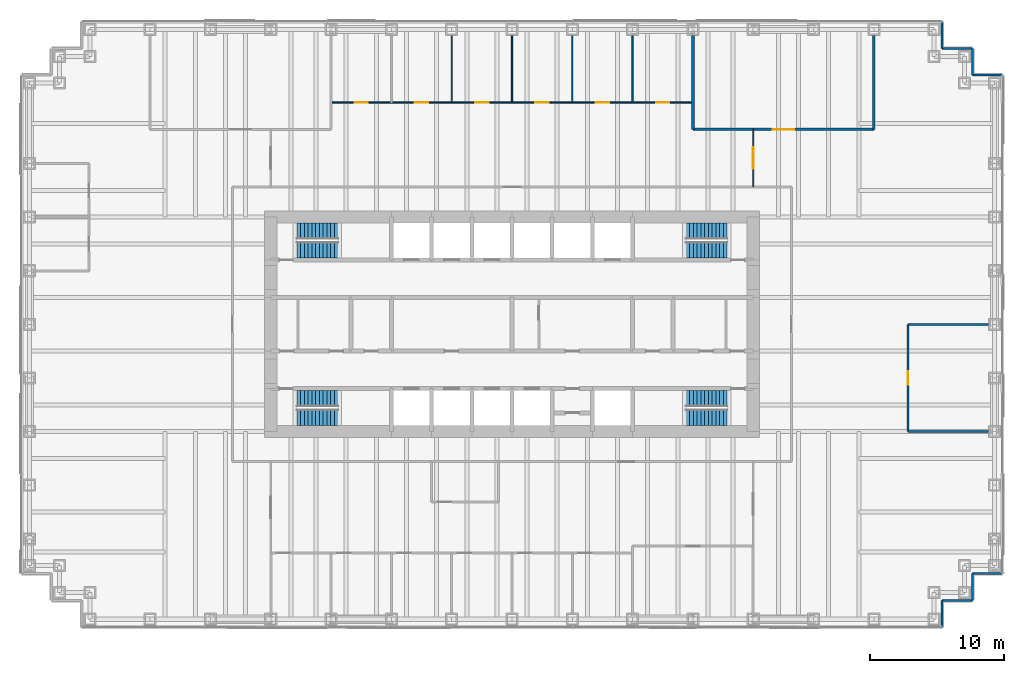
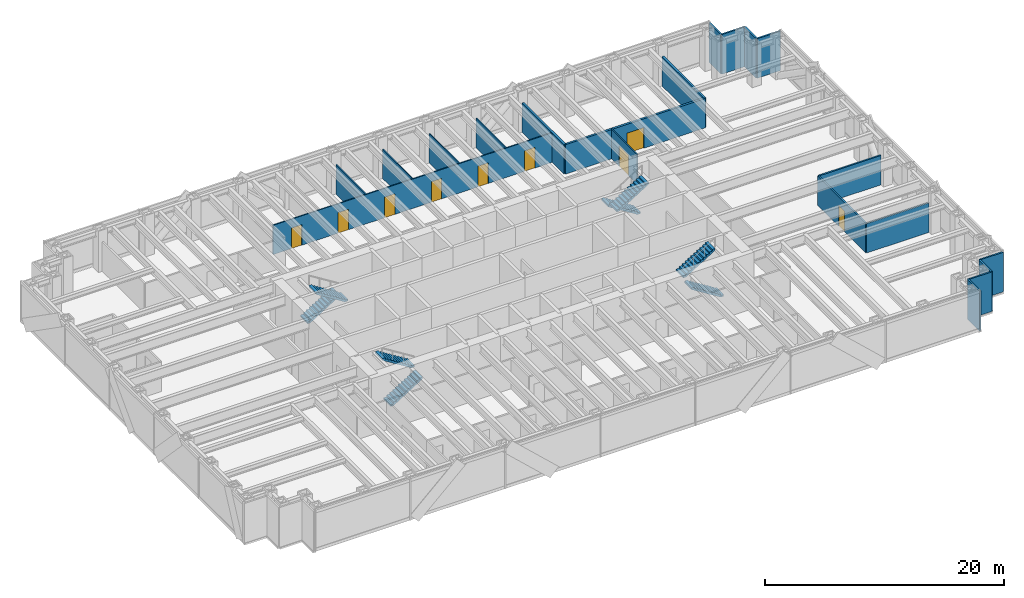
# One storey, part 14 of 15: 20 walls, 9 doors, 8 stair flights, 9 openings, 4 elements without a shape of their own.
"""IFC4 building model written with IfcOpenShell, lengths in metres."""

from ifc_helpers import new_model, si_unit, direction, frame, frame_2d, origin, place, context, subcontext, project, spatial, polyline, rectangle, outline, extrude, material, layer, layer_set, type_object, element, fill, aggregate, save


model = new_model("IFC4")

# Units and contexts
model_context = context("Model", 3, precision=1e-05, world=origin(), true_north=direction((0.0, 1.0)))
body_context = subcontext(model_context, "Body", "Model", "MODEL_VIEW")
ifc_project = project(units=[si_unit("LENGTHUNIT", "METRE"), si_unit("AREAUNIT", "SQUARE_METRE"), si_unit("VOLUMEUNIT", "CUBIC_METRE"), si_unit("PLANEANGLEUNIT", "RADIAN"), si_unit("MASSUNIT", "GRAM", prefix="KILO")], contexts=[model_context])

# Site, building, storey
site_placement = place(None, origin())
site = spatial("IfcSite", under=ifc_project, at=site_placement, CompositionType="ELEMENT")
building_placement = place(site_placement, origin())
building = spatial("IfcBuilding", under=site, at=building_placement, Name="Rheinbord Bourse Tower", CompositionType="ELEMENT")
storey_placement = place(building_placement, frame((0.0, 0.0, 104.699951171875)))
storey = spatial("IfcBuildingStorey", under=building, at=storey_placement, Name="L22", CompositionType="ELEMENT", Elevation=104.699951171875)

# Wall, opening, door
ifc_material_1 = material(Name="Acoustic gypsum board partition", Category="gypsum board")
ifc_layer_1 = layer(ifc_material_1, 0.199951171875)
ifc_layer_set_1 = layer_set([ifc_layer_1], Name="ACOUSTIC PARTITION 200")
wall_type_1 = type_object("IfcWallType", Name="ACOUSTIC PARTITION 200", PredefinedType="PARTITIONING", material=ifc_layer_set_1)
wall_1_placement = place(storey_placement, frame((49.5, 38.550048828125, 0.0), z_axis=(0.0, 0.0, 1.0), x_axis=(1.0, 0.0, 0.0)))
wall_1 = element("IfcWall", 1, at=wall_1_placement, inside=storey, type_object=wall_type_1, Name="Partition L22-14", PredefinedType="PARTITIONING", context=body_context, shape_type="SweptSolid", body=[
    extrude(rectangle(XDim=13.5, YDim=0.199951171875, at=frame_2d((6.75, 0.0))), origin(), (0.0, 0.0, 1.0), 3.0),
])
opening_1_placement = place(wall_1_placement, frame((5.949951171875, 0.0, 0.0)))
opening_1 = element("IfcOpeningElement", 2, at=opening_1_placement, cuts=wall_1, Name="Opening 22D13", PredefinedType="OPENING", context=body_context, shape_type="SweptSolid", body=[
    extrude(rectangle(XDim=1.60009765625, YDim=2.10009765625, at=frame_2d((0.800048828125, 1.050048828125))), frame((0.0, 0.10986328125, 0.0), z_axis=(0.0, -1.0, 0.0), x_axis=(1.0, 0.0, 0.0)), (0.0, 0.0, 1.0), 0.219970703125),
])
ifc_material_2 = material(Name="Timber door", Category="wood")
door_type_1 = type_object("IfcDoorType", Name="DOUBLE ROOM DOOR 1600", OperationType="DOUBLE_DOOR_DOUBLE_SWING", PredefinedType="DOOR", material=ifc_material_2)
door_1_placement = place(opening_1_placement, origin())
door_1 = element("IfcDoor", 3, at=door_1_placement, inside=storey, type_object=door_type_1, Name="Conference room door L22", OperationType="SINGLE_SWING_LEFT", OverallHeight=2.10009765625, OverallWidth=1.60009765625, PredefinedType="DOOR", context=body_context, shape_type="SweptSolid", body=[
    extrude(rectangle(XDim=1.60009765625, YDim=2.10009765625, at=frame_2d((0.800048828125, 1.050048828125))), frame((0.0, 0.02490234375, 0.0), z_axis=(0.0, -1.0, 0.0), x_axis=(1.0, 0.0, 0.0)), (0.0, 0.0, 1.0), 0.050048828125),
])
fill(opening_1, door_1)

# Walls
for number, where, z_axis, x_axis, name in (
    (4, (49.5, 38.550048828125, 0.0), (0.0, 0.0, 1.0), (0.0, 1.0, 0.0), "Partition L22-36"),
    (5, (63.0, 38.550048828125, 0.0), (0.0, 0.0, 1.0), (0.0, 1.0, 0.0), "Partition L22-41"),
):
    element("IfcWall", number, at=place(storey_placement, frame(where, z_axis=z_axis, x_axis=x_axis)), inside=storey, type_object=wall_type_1, Name=name, PredefinedType="PARTITIONING", context=body_context, shape_type="SweptSolid", body=[
        extrude(rectangle(XDim=7.0, YDim=0.199951171875, at=frame_2d((3.5, 0.0))), origin(), (0.0, 0.0, 1.0), 3.0),
    ])
ifc_material_3 = material(Name="Black metal rainscreen panel", Category="aluminium")
ifc_layer_2 = layer(ifc_material_3, 0.14990234375)
ifc_layer_set_2 = layer_set([ifc_layer_2], Name="CORNER PIER CLADDING 150")
wall_type_2 = type_object("IfcWallType", Name="CORNER PIER CLADDING 150", PredefinedType="ELEMENTEDWALL", material=ifc_layer_set_2)
wall_2_placement = place(storey_placement, frame((68.10009765625, 1.39990234375, 0.0), z_axis=(0.0, 0.0, 1.0), x_axis=(0.0, 1.0, 0.0)))
element("IfcWall", 6, at=wall_2_placement, inside=storey, type_object=wall_type_2, Name="Corner pier cladding L22 2", PredefinedType="ELEMENTEDWALL", context=body_context, shape_type="SweptSolid", body=[
    extrude(rectangle(XDim=2.0, YDim=0.14990234375, at=frame_2d((1.0, 0.0))), origin(), (0.0, 0.0, 1.0), 4.0400390625),
])
wall_3_placement = place(storey_placement, frame((68.10009765625, 3.39990234375, 0.0), z_axis=(0.0, 0.0, 1.0), x_axis=(1.0, 0.0, 0.0)))
element("IfcWall", 7, at=wall_3_placement, inside=storey, type_object=wall_type_2, Name="Corner pier cladding L22 3", PredefinedType="ELEMENTEDWALL", context=body_context, shape_type="SweptSolid", body=[
    extrude(rectangle(XDim=2.25, YDim=0.14990234375, at=frame_2d((1.125, 0.0))), origin(), (0.0, 0.0, 1.0), 4.0400390625),
])
wall_4_placement = place(storey_placement, frame((70.35009765625, 3.39990234375, 0.0), z_axis=(0.0, 0.0, 1.0), x_axis=(0.0, 1.0, 0.0)))
element("IfcWall", 8, at=wall_4_placement, inside=storey, type_object=wall_type_2, Name="Corner pier cladding L22 4", PredefinedType="ELEMENTEDWALL", context=body_context, shape_type="SweptSolid", body=[
    extrude(rectangle(XDim=2.0, YDim=0.14990234375, at=frame_2d((1.0, 0.0))), origin(), (0.0, 0.0, 1.0), 4.0400390625),
])
for number, where, z_axis, x_axis, name in (
    (9, (70.35009765625, 5.39990234375, 0.0), (0.0, 0.0, 1.0), (1.0, 0.0, 0.0), "Corner pier cladding L22 5"),
    (10, (72.60009765625, 42.60009765625, 0.0), (0.0, 0.0, 1.0), (-1.0, 0.0, 0.0), "Corner pier cladding L22 7"),
):
    element("IfcWall", number, at=place(storey_placement, frame(where, z_axis=z_axis, x_axis=x_axis)), inside=storey, type_object=wall_type_2, Name=name, PredefinedType="ELEMENTEDWALL", context=body_context, shape_type="SweptSolid", body=[
        extrude(rectangle(XDim=2.25, YDim=0.14990234375, at=frame_2d((1.125, 0.0))), origin(), (0.0, 0.0, 1.0), 4.0400390625),
    ])
wall_5_placement = place(storey_placement, frame((70.35009765625, 42.60009765625, 0.0), z_axis=(0.0, 0.0, 1.0), x_axis=(0.0, 1.0, 0.0)))
element("IfcWall", 11, at=wall_5_placement, inside=storey, type_object=wall_type_2, Name="Corner pier cladding L22 8", PredefinedType="ELEMENTEDWALL", context=body_context, shape_type="SweptSolid", body=[
    extrude(rectangle(XDim=2.0, YDim=0.14990234375, at=frame_2d((1.0, 0.0))), origin(), (0.0, 0.0, 1.0), 4.0400390625),
])
wall_6_placement = place(storey_placement, frame((70.35009765625, 44.60009765625, 0.0), z_axis=(0.0, 0.0, 1.0), x_axis=(-1.0, 0.0, 0.0)))
element("IfcWall", 12, at=wall_6_placement, inside=storey, type_object=wall_type_2, Name="Corner pier cladding L22 9", PredefinedType="ELEMENTEDWALL", context=body_context, shape_type="SweptSolid", body=[
    extrude(rectangle(XDim=2.25, YDim=0.14990234375, at=frame_2d((1.125, 0.0))), origin(), (0.0, 0.0, 1.0), 4.0400390625),
])
wall_7_placement = place(storey_placement, frame((68.10009765625, 44.60009765625, 0.0), z_axis=(0.0, 0.0, 1.0), x_axis=(0.0, 1.0, 0.0)))
element("IfcWall", 13, at=wall_7_placement, inside=storey, type_object=wall_type_2, Name="Corner pier cladding L22 10", PredefinedType="ELEMENTEDWALL", context=body_context, shape_type="SweptSolid", body=[
    extrude(rectangle(XDim=2.0, YDim=0.14990234375, at=frame_2d((1.0, 0.0))), origin(), (0.0, 0.0, 1.0), 4.0400390625),
])

# Wall, openings, doors
ifc_material_4 = material(Name="Toughened laminated glass partition", Category="glass")
ifc_layer_3 = layer(ifc_material_4, 0.10009765625)
ifc_layer_set_3 = layer_set([ifc_layer_3], Name="GLAZED PARTITION 100")
wall_type_3 = type_object("IfcWallType", Name="GLAZED PARTITION 100", PredefinedType="PARTITIONING", material=ifc_layer_set_3)
wall_8_placement = place(storey_placement, frame((22.5, 40.550048828125, 0.0), z_axis=(0.0, 0.0, 1.0), x_axis=(1.0, 0.0, 0.0)))
wall_8 = element("IfcWall", 14, at=wall_8_placement, inside=storey, type_object=wall_type_3, Name="Partition L22-15", PredefinedType="PARTITIONING", context=body_context, shape_type="SweptSolid", body=[
    extrude(rectangle(XDim=27.0, YDim=0.10009765625, at=frame_2d((13.5, 0.0))), origin(), (0.0, 0.0, 1.0), 3.0),
])
opening_2_placement = place(wall_8_placement, frame((1.75, 0.0, 0.0)))
opening_2 = element("IfcOpeningElement", 15, at=opening_2_placement, cuts=wall_8, Name="Opening 22D14", PredefinedType="OPENING", context=body_context, shape_type="SweptSolid", body=[
    extrude(rectangle(XDim=1.0, YDim=2.10009765625, at=frame_2d((0.5, 1.050048828125))), frame((0.0, 0.06005859375, 0.0), z_axis=(0.0, -1.0, 0.0), x_axis=(1.0, 0.0, 0.0)), (0.0, 0.0, 1.0), 0.1201171875),
])
opening_3_placement = place(wall_8_placement, frame((6.25, 0.0, 0.0)))
opening_3 = element("IfcOpeningElement", 16, at=opening_3_placement, cuts=wall_8, Name="Opening 22D15", PredefinedType="OPENING", context=body_context, shape_type="SweptSolid", body=[
    extrude(rectangle(XDim=1.0, YDim=2.10009765625, at=frame_2d((0.5, 1.050048828125))), frame((0.0, 0.06005859375, 0.0), z_axis=(0.0, -1.0, 0.0), x_axis=(1.0, 0.0, 0.0)), (0.0, 0.0, 1.0), 0.1201171875),
])
opening_4_placement = place(wall_8_placement, frame((10.75, 0.0, 0.0)))
opening_4 = element("IfcOpeningElement", 17, at=opening_4_placement, cuts=wall_8, Name="Opening 22D16", PredefinedType="OPENING", context=body_context, shape_type="SweptSolid", body=[
    extrude(rectangle(XDim=1.0, YDim=2.10009765625, at=frame_2d((0.5, 1.050048828125))), frame((0.0, 0.06005859375, 0.0), z_axis=(0.0, -1.0, 0.0), x_axis=(1.0, 0.0, 0.0)), (0.0, 0.0, 1.0), 0.1201171875),
])
opening_5_placement = place(wall_8_placement, frame((15.25, 0.0, 0.0)))
opening_5 = element("IfcOpeningElement", 18, at=opening_5_placement, cuts=wall_8, Name="Opening 22D17", PredefinedType="OPENING", context=body_context, shape_type="SweptSolid", body=[
    extrude(rectangle(XDim=1.0, YDim=2.10009765625, at=frame_2d((0.5, 1.050048828125))), frame((0.0, 0.06005859375, 0.0), z_axis=(0.0, -1.0, 0.0), x_axis=(1.0, 0.0, 0.0)), (0.0, 0.0, 1.0), 0.1201171875),
])
opening_6_placement = place(wall_8_placement, frame((19.75, 0.0, 0.0)))
opening_6 = element("IfcOpeningElement", 19, at=opening_6_placement, cuts=wall_8, Name="Opening 22D18", PredefinedType="OPENING", context=body_context, shape_type="SweptSolid", body=[
    extrude(rectangle(XDim=1.0, YDim=2.10009765625, at=frame_2d((0.5, 1.050048828125))), frame((0.0, 0.06005859375, 0.0), z_axis=(0.0, -1.0, 0.0), x_axis=(1.0, 0.0, 0.0)), (0.0, 0.0, 1.0), 0.1201171875),
])
opening_7_placement = place(wall_8_placement, frame((24.25, 0.0, 0.0)))
opening_7 = element("IfcOpeningElement", 20, at=opening_7_placement, cuts=wall_8, Name="Opening 22D19", PredefinedType="OPENING", context=body_context, shape_type="SweptSolid", body=[
    extrude(rectangle(XDim=1.0, YDim=2.10009765625, at=frame_2d((0.5, 1.050048828125))), frame((0.0, 0.06005859375, 0.0), z_axis=(0.0, -1.0, 0.0), x_axis=(1.0, 0.0, 0.0)), (0.0, 0.0, 1.0), 0.1201171875),
])
ifc_material_5 = material(Name="Timber door", Category="wood")
door_type_2 = type_object("IfcDoorType", Name="ROOM DOOR 1000", OperationType="SINGLE_SWING_LEFT", PredefinedType="DOOR", material=ifc_material_5)
door_2_placement = place(opening_2_placement, origin())
door_2 = element("IfcDoor", 21, at=door_2_placement, inside=storey, type_object=door_type_2, Name="Meeting room door L22", OperationType="SINGLE_SWING_LEFT", OverallHeight=2.10009765625, OverallWidth=1.0, PredefinedType="DOOR", context=body_context, shape_type="SweptSolid", body=[
    extrude(rectangle(XDim=1.0, YDim=2.10009765625, at=frame_2d((0.5, 1.050048828125))), frame((0.0, 0.02490234375, 0.0), z_axis=(0.0, -1.0, 0.0), x_axis=(1.0, 0.0, 0.0)), (0.0, 0.0, 1.0), 0.050048828125),
])
fill(opening_2, door_2)
door_3_placement = place(opening_3_placement, origin())
door_3 = element("IfcDoor", 22, at=door_3_placement, inside=storey, type_object=door_type_2, Name="Meeting room door L22", OperationType="SINGLE_SWING_LEFT", OverallHeight=2.10009765625, OverallWidth=1.0, PredefinedType="DOOR", context=body_context, shape_type="SweptSolid", body=[
    extrude(rectangle(XDim=1.0, YDim=2.10009765625, at=frame_2d((0.5, 1.050048828125))), frame((0.0, 0.02490234375, 0.0), z_axis=(0.0, -1.0, 0.0), x_axis=(1.0, 0.0, 0.0)), (0.0, 0.0, 1.0), 0.050048828125),
])
fill(opening_3, door_3)
door_4_placement = place(opening_4_placement, origin())
door_4 = element("IfcDoor", 23, at=door_4_placement, inside=storey, type_object=door_type_2, Name="Meeting room door L22", OperationType="SINGLE_SWING_LEFT", OverallHeight=2.10009765625, OverallWidth=1.0, PredefinedType="DOOR", context=body_context, shape_type="SweptSolid", body=[
    extrude(rectangle(XDim=1.0, YDim=2.10009765625, at=frame_2d((0.5, 1.050048828125))), frame((0.0, 0.02490234375, 0.0), z_axis=(0.0, -1.0, 0.0), x_axis=(1.0, 0.0, 0.0)), (0.0, 0.0, 1.0), 0.050048828125),
])
fill(opening_4, door_4)
door_5_placement = place(opening_5_placement, origin())
door_5 = element("IfcDoor", 24, at=door_5_placement, inside=storey, type_object=door_type_2, Name="Meeting room door L22", OperationType="SINGLE_SWING_RIGHT", OverallHeight=2.10009765625, OverallWidth=1.0, PredefinedType="DOOR", context=body_context, shape_type="SweptSolid", body=[
    extrude(rectangle(XDim=1.0, YDim=2.10009765625, at=frame_2d((0.5, 1.050048828125))), frame((0.0, 0.02490234375, 0.0), z_axis=(0.0, -1.0, 0.0), x_axis=(1.0, 0.0, 0.0)), (0.0, 0.0, 1.0), 0.050048828125),
])
fill(opening_5, door_5)
door_6_placement = place(opening_6_placement, origin())
door_6 = element("IfcDoor", 25, at=door_6_placement, inside=storey, type_object=door_type_2, Name="Meeting room door L22", OperationType="SINGLE_SWING_RIGHT", OverallHeight=2.10009765625, OverallWidth=1.0, PredefinedType="DOOR", context=body_context, shape_type="SweptSolid", body=[
    extrude(rectangle(XDim=1.0, YDim=2.10009765625, at=frame_2d((0.5, 1.050048828125))), frame((0.0, 0.02490234375, 0.0), z_axis=(0.0, -1.0, 0.0), x_axis=(1.0, 0.0, 0.0)), (0.0, 0.0, 1.0), 0.050048828125),
])
fill(opening_6, door_6)
door_7_placement = place(opening_7_placement, origin())
door_7 = element("IfcDoor", 26, at=door_7_placement, inside=storey, type_object=door_type_2, Name="Meeting room door L22", OperationType="SINGLE_SWING_RIGHT", OverallHeight=2.10009765625, OverallWidth=1.0, PredefinedType="DOOR", context=body_context, shape_type="SweptSolid", body=[
    extrude(rectangle(XDim=1.0, YDim=2.10009765625, at=frame_2d((0.5, 1.050048828125))), frame((0.0, 0.02490234375, 0.0), z_axis=(0.0, -1.0, 0.0), x_axis=(1.0, 0.0, 0.0)), (0.0, 0.0, 1.0), 0.050048828125),
])
fill(opening_7, door_7)

# Walls
for number, where, z_axis, x_axis, name in (
    (27, (31.5, 40.550048828125, 0.0), (0.0, 0.0, 1.0), (0.0, 1.0, 0.0), "Partition L22-28"),
    (28, (36.0, 40.550048828125, 0.0), (0.0, 0.0, 1.0), (0.0, 1.0, 0.0), "Partition L22-31"),
    (29, (40.5, 40.550048828125, 0.0), (0.0, 0.0, 1.0), (0.0, 1.0, 0.0), "Partition L22-33"),
    (30, (45.0, 40.550048828125, 0.0), (0.0, 0.0, 1.0), (0.0, 1.0, 0.0), "Partition L22-35"),
):
    element("IfcWall", number, at=place(storey_placement, frame(where, z_axis=z_axis, x_axis=x_axis)), inside=storey, type_object=wall_type_3, Name=name, PredefinedType="PARTITIONING", context=body_context, shape_type="SweptSolid", body=[
        extrude(rectangle(XDim=5.0, YDim=0.10009765625, at=frame_2d((2.5, 0.0))), origin(), (0.0, 0.0, 1.0), 3.0),
    ])

# Wall, opening, door
wall_9_placement = place(storey_placement, frame((54.0, 34.25, 0.0), z_axis=(0.0, 0.0, 1.0), x_axis=(0.0, 1.0, 0.0)))
wall_9 = element("IfcWall", 31, at=wall_9_placement, inside=storey, type_object=wall_type_3, Name="Partition L22-39", PredefinedType="PARTITIONING", context=body_context, shape_type="SweptSolid", body=[
    extrude(rectangle(XDim=4.300048828125, YDim=0.10009765625, at=frame_2d((2.14990234375, 0.0))), origin(), (0.0, 0.0, 1.0), 3.0),
])
opening_8_placement = place(wall_9_placement, frame((1.35009765625, 0.0, 0.0)))
opening_8 = element("IfcOpeningElement", 32, at=opening_8_placement, cuts=wall_9, Name="Opening 22D23", PredefinedType="OPENING", context=body_context, shape_type="SweptSolid", body=[
    extrude(rectangle(XDim=1.60009765625, YDim=2.10009765625, at=frame_2d((0.800048828125, 1.050048828125))), frame((0.0, 0.06005859375, 0.0), z_axis=(0.0, -1.0, 0.0), x_axis=(1.0, 0.0, 0.0)), (0.0, 0.0, 1.0), 0.1201171875),
])
door_8_placement = place(opening_8_placement, origin())
door_8 = element("IfcDoor", 33, at=door_8_placement, inside=storey, type_object=door_type_1, Name="Open area door L22", OperationType="SINGLE_SWING_LEFT", OverallHeight=2.10009765625, OverallWidth=1.60009765625, PredefinedType="DOOR", context=body_context, shape_type="SweptSolid", body=[
    extrude(rectangle(XDim=1.60009765625, YDim=2.10009765625, at=frame_2d((0.800048828125, 1.050048828125))), frame((0.0, 0.02490234375, 0.0), z_axis=(0.0, -1.0, 0.0), x_axis=(1.0, 0.0, 0.0)), (0.0, 0.0, 1.0), 0.050048828125),
])
fill(opening_8, door_8)

# Walls
ifc_material_6 = material(Name="Gypsum board partition", Category="gypsum board")
ifc_layer_4 = layer(ifc_material_6, 0.14990234375)
ifc_layer_set_4 = layer_set([ifc_layer_4], Name="PARTITION 150")
wall_type_4 = type_object("IfcWallType", Name="PARTITION 150", PredefinedType="PARTITIONING", material=ifc_layer_set_4)
for number, where, z_axis, x_axis, name in (
    (34, (65.550048828125, 16.0, 0.0), (0.0, 0.0, 1.0), (1.0, 0.0, 0.0), "Partition L22-07"),
    (35, (65.550048828125, 24.0, 0.0), (0.0, 0.0, 1.0), (1.0, 0.0, 0.0), "Partition L22-08"),
):
    element("IfcWall", number, at=place(storey_placement, frame(where, z_axis=z_axis, x_axis=x_axis)), inside=storey, type_object=wall_type_4, Name=name, PredefinedType="PARTITIONING", context=body_context, shape_type="SweptSolid", body=[
        extrude(rectangle(XDim=6.0, YDim=0.14990234375, at=frame_2d((3.0, 0.0))), origin(), (0.0, 0.0, 1.0), 3.0),
    ])

# Wall, opening, door
wall_10_placement = place(storey_placement, frame((65.550048828125, 16.0, 0.0), z_axis=(0.0, 0.0, 1.0), x_axis=(0.0, 1.0, 0.0)))
wall_10 = element("IfcWall", 36, at=wall_10_placement, inside=storey, type_object=wall_type_4, Name="Partition L22-42", PredefinedType="PARTITIONING", context=body_context, shape_type="SweptSolid", body=[
    extrude(rectangle(XDim=8.0, YDim=0.14990234375, at=frame_2d((4.0, 0.0))), origin(), (0.0, 0.0, 1.0), 3.0),
])
opening_9_placement = place(wall_10_placement, frame((3.5, 0.0, 0.0)))
opening_9 = element("IfcOpeningElement", 37, at=opening_9_placement, cuts=wall_10, Name="Opening 22D09", PredefinedType="OPENING", context=body_context, shape_type="SweptSolid", body=[
    extrude(rectangle(XDim=1.0, YDim=2.10009765625, at=frame_2d((0.5, 1.050048828125))), frame((0.0, 0.0849609375, 0.0), z_axis=(0.0, -1.0, 0.0), x_axis=(1.0, 0.0, 0.0)), (0.0, 0.0, 1.0), 0.169921875),
])
door_9_placement = place(opening_9_placement, origin())
door_9 = element("IfcDoor", 38, at=door_9_placement, inside=storey, type_object=door_type_2, Name="Pantry door L22", OperationType="SINGLE_SWING_LEFT", OverallHeight=2.10009765625, OverallWidth=1.0, PredefinedType="DOOR", context=body_context, shape_type="SweptSolid", body=[
    extrude(rectangle(XDim=1.0, YDim=2.10009765625, at=frame_2d((0.5, 1.050048828125))), frame((0.0, 0.02490234375, 0.0), z_axis=(0.0, -1.0, 0.0), x_axis=(1.0, 0.0, 0.0)), (0.0, 0.0, 1.0), 0.050048828125),
])
fill(opening_9, door_9)

# Stair, stair flights
ifc_material_7 = material(Name="Concrete C30/37", Category="concrete")
stair_type = type_object("IfcStairType", Name="CORE STAIR HALF TURN 4200", PredefinedType="HALF_TURN_STAIR", material=ifc_material_7)
stair_1_placement = place(storey_placement, origin())
stair_1 = element("IfcStair", 39, at=stair_1_placement, inside=storey, type_object=stair_type, Name="Stair ST1 L22, type CS6", PredefinedType="HALF_TURN_STAIR")
ifc_material_8 = material(Name="Concrete C30/37", Category="concrete")
stair_flight_type = type_object("IfcStairFlightType", Name="CORE STAIR FLIGHT 1200, 12 RISERS", PredefinedType="STRAIGHT", material=ifc_material_8)
stair_flight_1_placement = place(storey_placement, frame((19.949951171875, 17.050048828125, 0.0), z_axis=(0.0, 0.0, 1.0), x_axis=(1.0, 0.0, 0.0)))
stair_flight_1 = element("IfcStairFlight", 40, at=stair_flight_1_placement, type_object=stair_flight_type, Name="STAIR L22 ST1 F1", NumberOfRisers=12, NumberOfTreads=11, PredefinedType="STRAIGHT", RiserHeight=0.175, TreadLength=0.28, context=body_context, shape_type="SweptSolid", body=[
    extrude(outline(polyline([(0.0, 0.0), (0.0, 0.175048828125), (0.280029296875, 0.175048828125), (0.280029296875, 0.35009765625), (0.56005859375, 0.35009765625), (0.56005859375, 0.52490234375), (0.840087890625, 0.52490234375), (0.840087890625, 0.699951171875), (1.1201171875, 0.699951171875), (1.1201171875, 0.875), (1.39990234375, 0.875), (1.39990234375, 1.050048828125), (1.679931640625, 1.050048828125), (1.679931640625, 1.22509765625), (1.9599609375, 1.22509765625), (1.9599609375, 1.39990234375), (2.239990234375, 1.39990234375), (2.239990234375, 1.574951171875), (2.52001953125, 1.574951171875), (2.52001953125, 1.75), (2.800048828125, 1.75), (2.800048828125, 1.925048828125), (3.080078125, 1.925048828125), (3.080078125, 2.10009765625), (3.080078125, 1.748291015625), (0.28271484375, 0.0), (0.0, 0.0)])), frame((0.0, 0.60009765625, 0.0), z_axis=(0.0, -1.0, 0.0), x_axis=(1.0, 0.0, 0.0)), (0.0, 0.0, 1.0), 1.199951171875),
])
stair_flight_2_placement = place(storey_placement, frame((23.030029296875, 18.449951171875, 2.10009765625), z_axis=(0.0, 0.0, 1.0), x_axis=(-1.0, 0.0, 0.0)))
stair_flight_2 = element("IfcStairFlight", 41, at=stair_flight_2_placement, type_object=stair_flight_type, Name="STAIR L22 ST1 F2", NumberOfRisers=12, NumberOfTreads=11, PredefinedType="STRAIGHT", RiserHeight=0.175, TreadLength=0.28, context=body_context, shape_type="SweptSolid", body=[
    extrude(outline(polyline([(0.0, 0.0), (0.0, 0.175048828125), (0.280029296875, 0.175048828125), (0.280029296875, 0.35009765625), (0.56005859375, 0.35009765625), (0.56005859375, 0.52490234375), (0.840087890625, 0.52490234375), (0.840087890625, 0.699951171875), (1.1201171875, 0.699951171875), (1.1201171875, 0.875), (1.39990234375, 0.875), (1.39990234375, 1.050048828125), (1.679931640625, 1.050048828125), (1.679931640625, 1.22509765625), (1.9599609375, 1.22509765625), (1.9599609375, 1.39990234375), (2.239990234375, 1.39990234375), (2.239990234375, 1.574951171875), (2.52001953125, 1.574951171875), (2.52001953125, 1.75), (2.800048828125, 1.75), (2.800048828125, 1.925048828125), (3.080078125, 1.925048828125), (3.080078125, 2.10009765625), (3.080078125, 1.748291015625), (0.28271484375, 0.0), (0.0, 0.0)])), frame((0.0, 0.60009765625, 0.0), z_axis=(0.0, -1.0, 0.0), x_axis=(1.0, 0.0, 0.0)), (0.0, 0.0, 1.0), 1.199951171875),
])
aggregate(stair_1, [stair_flight_1, stair_flight_2])

stair_2_placement = place(storey_placement, origin())
stair_2 = element("IfcStair", 42, at=stair_2_placement, inside=storey, type_object=stair_type, Name="Stair ST2 L22, type CS6", PredefinedType="HALF_TURN_STAIR")
stair_flight_3_placement = place(storey_placement, frame((19.949951171875, 30.949951171875, 0.0), z_axis=(0.0, 0.0, 1.0), x_axis=(1.0, 0.0, 0.0)))
stair_flight_3 = element("IfcStairFlight", 43, at=stair_flight_3_placement, type_object=stair_flight_type, Name="STAIR L22 ST2 F1", NumberOfRisers=12, NumberOfTreads=11, PredefinedType="STRAIGHT", RiserHeight=0.175, TreadLength=0.28, context=body_context, shape_type="SweptSolid", body=[
    extrude(outline(polyline([(0.0, 0.0), (0.0, 0.175048828125), (0.280029296875, 0.175048828125), (0.280029296875, 0.35009765625), (0.56005859375, 0.35009765625), (0.56005859375, 0.52490234375), (0.840087890625, 0.52490234375), (0.840087890625, 0.699951171875), (1.1201171875, 0.699951171875), (1.1201171875, 0.875), (1.39990234375, 0.875), (1.39990234375, 1.050048828125), (1.679931640625, 1.050048828125), (1.679931640625, 1.22509765625), (1.9599609375, 1.22509765625), (1.9599609375, 1.39990234375), (2.239990234375, 1.39990234375), (2.239990234375, 1.574951171875), (2.52001953125, 1.574951171875), (2.52001953125, 1.75), (2.800048828125, 1.75), (2.800048828125, 1.925048828125), (3.080078125, 1.925048828125), (3.080078125, 2.10009765625), (3.080078125, 1.748291015625), (0.28271484375, 0.0), (0.0, 0.0)])), frame((0.0, 0.60009765625, 0.0), z_axis=(0.0, -1.0, 0.0), x_axis=(1.0, 0.0, 0.0)), (0.0, 0.0, 1.0), 1.199951171875),
])
stair_flight_4_placement = place(storey_placement, frame((23.030029296875, 29.550048828125, 2.10009765625), z_axis=(0.0, 0.0, 1.0), x_axis=(-1.0, 0.0, 0.0)))
stair_flight_4 = element("IfcStairFlight", 44, at=stair_flight_4_placement, type_object=stair_flight_type, Name="STAIR L22 ST2 F2", NumberOfRisers=12, NumberOfTreads=11, PredefinedType="STRAIGHT", RiserHeight=0.175, TreadLength=0.28, context=body_context, shape_type="SweptSolid", body=[
    extrude(outline(polyline([(0.0, 0.0), (0.0, 0.175048828125), (0.280029296875, 0.175048828125), (0.280029296875, 0.35009765625), (0.56005859375, 0.35009765625), (0.56005859375, 0.52490234375), (0.840087890625, 0.52490234375), (0.840087890625, 0.699951171875), (1.1201171875, 0.699951171875), (1.1201171875, 0.875), (1.39990234375, 0.875), (1.39990234375, 1.050048828125), (1.679931640625, 1.050048828125), (1.679931640625, 1.22509765625), (1.9599609375, 1.22509765625), (1.9599609375, 1.39990234375), (2.239990234375, 1.39990234375), (2.239990234375, 1.574951171875), (2.52001953125, 1.574951171875), (2.52001953125, 1.75), (2.800048828125, 1.75), (2.800048828125, 1.925048828125), (3.080078125, 1.925048828125), (3.080078125, 2.10009765625), (3.080078125, 1.748291015625), (0.28271484375, 0.0), (0.0, 0.0)])), frame((0.0, 0.60009765625, 0.0), z_axis=(0.0, -1.0, 0.0), x_axis=(1.0, 0.0, 0.0)), (0.0, 0.0, 1.0), 1.199951171875),
])
aggregate(stair_2, [stair_flight_3, stair_flight_4])

stair_3_placement = place(storey_placement, origin())
stair_3 = element("IfcStair", 45, at=stair_3_placement, inside=storey, type_object=stair_type, Name="Stair ST3 L22, type CS6", PredefinedType="HALF_TURN_STAIR")
stair_flight_5_placement = place(storey_placement, frame((52.050048828125, 17.050048828125, 0.0), z_axis=(0.0, 0.0, 1.0), x_axis=(-1.0, 0.0, 0.0)))
stair_flight_5 = element("IfcStairFlight", 46, at=stair_flight_5_placement, type_object=stair_flight_type, Name="STAIR L22 ST3 F1", NumberOfRisers=12, NumberOfTreads=11, PredefinedType="STRAIGHT", RiserHeight=0.175, TreadLength=0.28, context=body_context, shape_type="SweptSolid", body=[
    extrude(outline(polyline([(0.0, 0.0), (0.0, 0.175048828125), (0.280029296875, 0.175048828125), (0.280029296875, 0.35009765625), (0.56005859375, 0.35009765625), (0.56005859375, 0.52490234375), (0.840087890625, 0.52490234375), (0.840087890625, 0.699951171875), (1.1201171875, 0.699951171875), (1.1201171875, 0.875), (1.39990234375, 0.875), (1.39990234375, 1.050048828125), (1.679931640625, 1.050048828125), (1.679931640625, 1.22509765625), (1.9599609375, 1.22509765625), (1.9599609375, 1.39990234375), (2.239990234375, 1.39990234375), (2.239990234375, 1.574951171875), (2.52001953125, 1.574951171875), (2.52001953125, 1.75), (2.800048828125, 1.75), (2.800048828125, 1.925048828125), (3.080078125, 1.925048828125), (3.080078125, 2.10009765625), (3.080078125, 1.748291015625), (0.28271484375, 0.0), (0.0, 0.0)])), frame((0.0, 0.60009765625, 0.0), z_axis=(0.0, -1.0, 0.0), x_axis=(1.0, 0.0, 0.0)), (0.0, 0.0, 1.0), 1.199951171875),
])
stair_flight_6_placement = place(storey_placement, frame((48.969970703125, 18.449951171875, 2.10009765625), z_axis=(0.0, 0.0, 1.0), x_axis=(1.0, 0.0, 0.0)))
stair_flight_6 = element("IfcStairFlight", 47, at=stair_flight_6_placement, type_object=stair_flight_type, Name="STAIR L22 ST3 F2", NumberOfRisers=12, NumberOfTreads=11, PredefinedType="STRAIGHT", RiserHeight=0.175, TreadLength=0.28, context=body_context, shape_type="SweptSolid", body=[
    extrude(outline(polyline([(0.0, 0.0), (0.0, 0.175048828125), (0.280029296875, 0.175048828125), (0.280029296875, 0.35009765625), (0.56005859375, 0.35009765625), (0.56005859375, 0.52490234375), (0.840087890625, 0.52490234375), (0.840087890625, 0.699951171875), (1.1201171875, 0.699951171875), (1.1201171875, 0.875), (1.39990234375, 0.875), (1.39990234375, 1.050048828125), (1.679931640625, 1.050048828125), (1.679931640625, 1.22509765625), (1.9599609375, 1.22509765625), (1.9599609375, 1.39990234375), (2.239990234375, 1.39990234375), (2.239990234375, 1.574951171875), (2.52001953125, 1.574951171875), (2.52001953125, 1.75), (2.800048828125, 1.75), (2.800048828125, 1.925048828125), (3.080078125, 1.925048828125), (3.080078125, 2.10009765625), (3.080078125, 1.748291015625), (0.28271484375, 0.0), (0.0, 0.0)])), frame((0.0, 0.60009765625, 0.0), z_axis=(0.0, -1.0, 0.0), x_axis=(1.0, 0.0, 0.0)), (0.0, 0.0, 1.0), 1.199951171875),
])
aggregate(stair_3, [stair_flight_5, stair_flight_6])

stair_4_placement = place(storey_placement, origin())
stair_4 = element("IfcStair", 48, at=stair_4_placement, inside=storey, type_object=stair_type, Name="Stair ST4 L22, type CS6", PredefinedType="HALF_TURN_STAIR")
stair_flight_7_placement = place(storey_placement, frame((52.050048828125, 30.949951171875, 0.0), z_axis=(0.0, 0.0, 1.0), x_axis=(-1.0, 0.0, 0.0)))
stair_flight_7 = element("IfcStairFlight", 49, at=stair_flight_7_placement, type_object=stair_flight_type, Name="STAIR L22 ST4 F1", NumberOfRisers=12, NumberOfTreads=11, PredefinedType="STRAIGHT", RiserHeight=0.175, TreadLength=0.28, context=body_context, shape_type="SweptSolid", body=[
    extrude(outline(polyline([(0.0, 0.0), (0.0, 0.175048828125), (0.280029296875, 0.175048828125), (0.280029296875, 0.35009765625), (0.56005859375, 0.35009765625), (0.56005859375, 0.52490234375), (0.840087890625, 0.52490234375), (0.840087890625, 0.699951171875), (1.1201171875, 0.699951171875), (1.1201171875, 0.875), (1.39990234375, 0.875), (1.39990234375, 1.050048828125), (1.679931640625, 1.050048828125), (1.679931640625, 1.22509765625), (1.9599609375, 1.22509765625), (1.9599609375, 1.39990234375), (2.239990234375, 1.39990234375), (2.239990234375, 1.574951171875), (2.52001953125, 1.574951171875), (2.52001953125, 1.75), (2.800048828125, 1.75), (2.800048828125, 1.925048828125), (3.080078125, 1.925048828125), (3.080078125, 2.10009765625), (3.080078125, 1.748291015625), (0.28271484375, 0.0), (0.0, 0.0)])), frame((0.0, 0.60009765625, 0.0), z_axis=(0.0, -1.0, 0.0), x_axis=(1.0, 0.0, 0.0)), (0.0, 0.0, 1.0), 1.199951171875),
])
stair_flight_8_placement = place(storey_placement, frame((48.969970703125, 29.550048828125, 2.10009765625), z_axis=(0.0, 0.0, 1.0), x_axis=(1.0, 0.0, 0.0)))
stair_flight_8 = element("IfcStairFlight", 50, at=stair_flight_8_placement, type_object=stair_flight_type, Name="STAIR L22 ST4 F2", NumberOfRisers=12, NumberOfTreads=11, PredefinedType="STRAIGHT", RiserHeight=0.175, TreadLength=0.28, context=body_context, shape_type="SweptSolid", body=[
    extrude(outline(polyline([(0.0, 0.0), (0.0, 0.175048828125), (0.280029296875, 0.175048828125), (0.280029296875, 0.35009765625), (0.56005859375, 0.35009765625), (0.56005859375, 0.52490234375), (0.840087890625, 0.52490234375), (0.840087890625, 0.699951171875), (1.1201171875, 0.699951171875), (1.1201171875, 0.875), (1.39990234375, 0.875), (1.39990234375, 1.050048828125), (1.679931640625, 1.050048828125), (1.679931640625, 1.22509765625), (1.9599609375, 1.22509765625), (1.9599609375, 1.39990234375), (2.239990234375, 1.39990234375), (2.239990234375, 1.574951171875), (2.52001953125, 1.574951171875), (2.52001953125, 1.75), (2.800048828125, 1.75), (2.800048828125, 1.925048828125), (3.080078125, 1.925048828125), (3.080078125, 2.10009765625), (3.080078125, 1.748291015625), (0.28271484375, 0.0), (0.0, 0.0)])), frame((0.0, 0.60009765625, 0.0), z_axis=(0.0, -1.0, 0.0), x_axis=(1.0, 0.0, 0.0)), (0.0, 0.0, 1.0), 1.199951171875),
])
aggregate(stair_4, [stair_flight_7, stair_flight_8])

save(model, "model.ifc")
